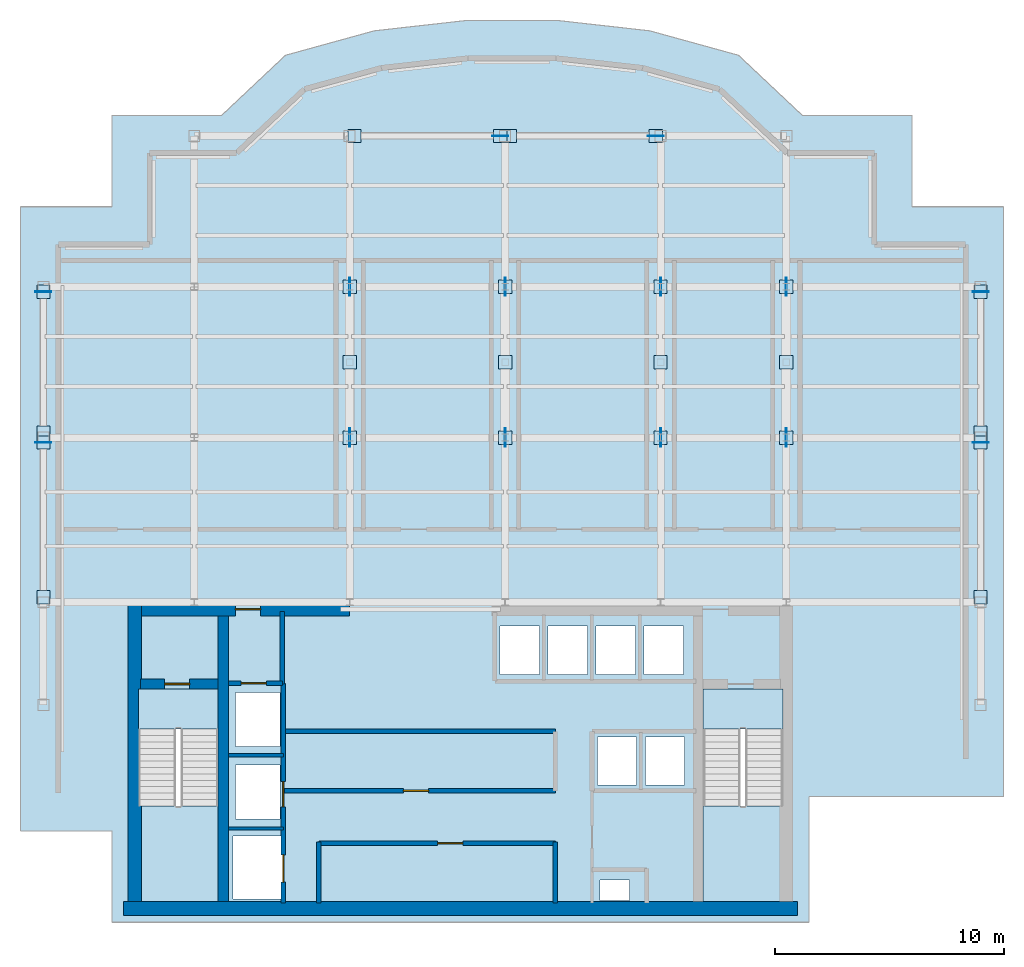
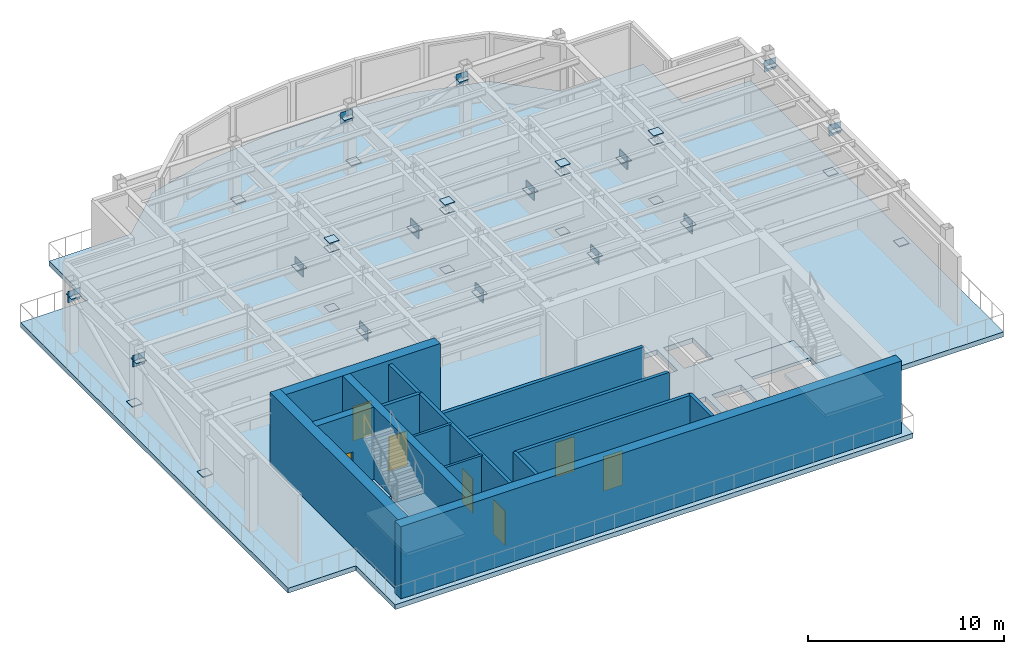
# One storey, part 4 of 7: 46 plates, 15 walls, 7 doors, 5 slabs, 7 openings, 2 elements without a shape of their own.
"""IFC4 building model written with IfcOpenShell, lengths in metres."""

from ifc_helpers import new_model, si_unit, derived_unit, direction, frame, frame_2d, origin, origin_2d, place, context, subcontext, project, spatial, polyline, rectangle, outline, extrude, source, transform, mapped, material, layer, layer_set, type_object, element, fill, aggregate, save


model = new_model("IFC4")

# Units and contexts
model_context = context("Model", 3, precision=1e-05, world=origin(), true_north=direction((0.0, 1.0)))
body_context = subcontext(model_context, "Body", "Model", "MODEL_VIEW")
ifc_project = project(units=[si_unit("LENGTHUNIT", "METRE"), si_unit("AREAUNIT", "SQUARE_METRE"), si_unit("VOLUMEUNIT", "CUBIC_METRE"), si_unit("PLANEANGLEUNIT", "RADIAN"), si_unit("MASSUNIT", "GRAM", prefix="KILO"), derived_unit("THERMALTRANSMITTANCEUNIT", [(si_unit("POWERUNIT", "WATT"), 1), (si_unit("LENGTHUNIT", "METRE"), -2), (si_unit("THERMODYNAMICTEMPERATUREUNIT", "KELVIN"), -1)])], contexts=[model_context])

# Site, building, storey
site_placement = place(None, origin())
site = spatial("IfcSite", under=ifc_project, at=site_placement, CompositionType="ELEMENT")
building_placement = place(site_placement, origin())
building = spatial("IfcBuilding", under=site, at=building_placement, Name="Skarnbrae Concourse Arena and Tower", CompositionType="ELEMENT")
storey_placement = place(building_placement, frame((0.0, 0.0, 236.050048828125)))
storey = spatial("IfcBuildingStorey", under=building, at=storey_placement, Name="L61", CompositionType="ELEMENT", Elevation=236.050048828125)

# Stair, slab
ifc_material_1 = material(Name="Concrete 40 MPa (C40/50)", Category="concrete")
stair_type = type_object("IfcStairType", Name="STAIR-DOGLEG-1650", PredefinedType="HALF_TURN_STAIR", material=ifc_material_1)
stair_1_placement = place(storey_placement, origin())
stair_1 = element("IfcStair", 1, at=stair_1_placement, inside=storey, type_object=stair_type, Name="L61 Protected Exit Stair ST-1", PredefinedType="HALF_TURN_STAIR")
ifc_layer_1 = layer(ifc_material_1, 0.199951171875)
ifc_layer_set_1 = layer_set([ifc_layer_1], Name="Concrete 40 MPa (C40/50)")
slab_type_1 = type_object("IfcSlabType", Name="SLAB-LANDING-200", PredefinedType="LANDING", material=ifc_layer_set_1)
slab_1_placement = place(storey_placement, frame((0.0, 0.0, 2.050048828125)))
slab_1 = element("IfcSlab", 2, at=slab_1_placement, type_object=slab_type_1, Name="ST-1 landing 1", PredefinedType="LANDING", context=body_context, shape_type="SweptSolid", body=[
    extrude(outline(polyline([(5.14990234375, 5.090087890625), (5.14990234375, 0.89990234375), (8.64990234375, 0.89990234375), (8.64990234375, 5.090087890625), (5.14990234375, 5.090087890625)])), origin(), (0.0, 0.0, 1.0), 0.199951171875),
])
aggregate(stair_1, [slab_1])

stair_2_placement = place(storey_placement, origin())
stair_2 = element("IfcStair", 3, at=stair_2_placement, inside=storey, type_object=stair_type, Name="L61 Protected Exit Stair ST-2", PredefinedType="HALF_TURN_STAIR")
slab_2_placement = place(storey_placement, frame((0.0, 0.0, 2.050048828125)))
slab_2 = element("IfcSlab", 4, at=slab_2_placement, type_object=slab_type_1, Name="ST-2 landing 1", PredefinedType="LANDING", context=body_context, shape_type="SweptSolid", body=[
    extrude(outline(polyline([(29.85009765625, 5.090087890625), (29.85009765625, 0.89990234375), (33.35009765625, 0.89990234375), (33.35009765625, 5.090087890625), (29.85009765625, 5.090087890625)])), origin(), (0.0, 0.0, 1.0), 0.199951171875),
])
aggregate(stair_2, [slab_2])

# Slabs
slab_3_placement = place(storey_placement, frame((0.0, 0.0, -0.199951171875)))
element("IfcSlab", 5, at=slab_3_placement, inside=storey, type_object=slab_type_1, Name="L61 Core stair ST1 floor landing", PredefinedType="LANDING", context=body_context, shape_type="SweptSolid", body=[
    extrude(outline(polyline([(5.14990234375, 10.199951171875), (5.14990234375, 8.449951171875), (8.64990234375, 8.449951171875), (8.64990234375, 10.199951171875), (5.14990234375, 10.199951171875)])), origin(), (0.0, 0.0, 1.0), 0.199951171875),
])
slab_4_placement = place(storey_placement, frame((0.0, 0.0, -0.199951171875)))
element("IfcSlab", 6, at=slab_4_placement, inside=storey, type_object=slab_type_1, Name="L61 Core stair ST2 floor landing", PredefinedType="LANDING", context=body_context, shape_type="SweptSolid", body=[
    extrude(outline(polyline([(29.85009765625, 10.199951171875), (29.85009765625, 8.449951171875), (33.35009765625, 8.449951171875), (33.35009765625, 10.199951171875), (29.85009765625, 10.199951171875)])), origin(), (0.0, 0.0, 1.0), 0.199951171875),
])
ifc_layer_2 = layer(ifc_material_1, 0.300048828125)
ifc_layer_set_2 = layer_set([ifc_layer_2], Name="Concrete 40 MPa (C40/50)")
slab_type_2 = type_object("IfcSlabType", Name="SLAB-PODIUM-300", PredefinedType="FLOOR", material=ifc_layer_set_2)
slab_5_placement = place(storey_placement, frame((0.0, 0.0, -0.300048828125)))
element("IfcSlab", 7, at=slab_5_placement, inside=storey, type_object=slab_type_2, Name="L61 Structural floor slab", PredefinedType="FLOOR", context=body_context, shape_type="SweptSolid", body=[
    extrude(outline(polyline([(4.0, 0.0), (34.5, 0.0), (34.5, 5.5), (43.0, 5.5), (43.0, 31.300048828125), (39.0, 31.300048828125), (39.0, 35.300048828125), (34.199951171875, 35.300048828125), (31.40966796875, 37.9267578125), (27.52587890625, 38.9970703125), (23.51708984375, 39.44677734375), (19.48291015625, 39.44677734375), (15.47412109375, 38.9970703125), (11.59033203125, 37.9267578125), (8.800048828125, 35.300048828125), (4.0, 35.300048828125), (4.0, 31.300048828125), (0.0, 31.300048828125), (0.0, 4.0), (4.0, 4.0), (4.0, 0.0)]), holes=[polyline([(9.294921875, 1.02001953125), (9.294921875, 3.780029296875), (11.455078125, 3.780029296875), (11.455078125, 1.02001953125), (9.294921875, 1.02001953125)]), polyline([(8.64990234375, 10.199951171875), (8.64990234375, 0.89990234375), (5.14990234375, 0.89990234375), (5.14990234375, 10.199951171875), (8.64990234375, 10.199951171875)]), polyline([(9.39501953125, 6.8798828125), (11.35498046875, 6.8798828125), (11.35498046875, 4.52001953125), (9.39501953125, 4.52001953125), (9.39501953125, 6.8798828125)]), polyline([(9.39501953125, 7.695068359375), (9.39501953125, 10.054931640625), (11.35498046875, 10.054931640625), (11.35498046875, 7.695068359375), (9.39501953125, 7.695068359375)]), polyline([(20.985107421875, 12.955078125), (22.695068359375, 12.955078125), (22.695068359375, 10.844970703125), (20.985107421875, 10.844970703125), (20.985107421875, 12.955078125)]), polyline([(23.0849609375, 12.955078125), (24.794921875, 12.955078125), (24.794921875, 10.844970703125), (23.0849609375, 10.844970703125), (23.0849609375, 12.955078125)]), polyline([(25.35009765625, 0.949951171875), (25.35009765625, 1.85009765625), (26.64990234375, 1.85009765625), (26.64990234375, 0.949951171875), (25.35009765625, 0.949951171875)]), polyline([(33.35009765625, 10.199951171875), (33.35009765625, 0.89990234375), (29.85009765625, 0.89990234375), (29.85009765625, 10.199951171875), (33.35009765625, 10.199951171875)]), polyline([(25.235107421875, 8.10498046875), (26.945068359375, 8.10498046875), (26.945068359375, 5.9951171875), (25.235107421875, 5.9951171875), (25.235107421875, 8.10498046875)]), polyline([(27.3349609375, 5.9951171875), (27.3349609375, 8.10498046875), (29.044921875, 8.10498046875), (29.044921875, 5.9951171875), (27.3349609375, 5.9951171875)]), polyline([(25.18505859375, 12.955078125), (26.89501953125, 12.955078125), (26.89501953125, 10.844970703125), (25.18505859375, 10.844970703125), (25.18505859375, 12.955078125)]), polyline([(27.284912109375, 12.955078125), (28.9951171875, 12.955078125), (28.9951171875, 10.844970703125), (27.284912109375, 10.844970703125), (27.284912109375, 12.955078125)])]), origin(), (0.0, 0.0, 1.0), 0.300048828125),
])

# Plates
ifc_material_2 = material(Name="Steel CSA G40.21 350W", Category="steel")
ifc_layer_3 = layer(ifc_material_2, 0.031982421875)
ifc_layer_set_3 = layer_set([ifc_layer_3], Name="Steel CSA G40.21 350W")
plate_type_1 = type_object("IfcPlateType", Name="PLT-CAP-HOLLOW", PredefinedType="USERDEFINED", material=ifc_layer_set_3)
shared_shape_1 = source(origin(), body_context, "Body", "SweptSolid", [
    extrude(rectangle(XDim=0.580078125, YDim=0.580078125, at=origin_2d()), origin(), (0.0, 0.0, 1.0), 0.031982421875),
])
for number, where, z_axis, x_axis, name in (
    (8, (14.39990234375, 21.199951171875, 0.5341796875), (0.0, 0.0, 1.0), (1.0, 0.0, 0.0), "L61 Outrigger cap plate O1.1A"),
    (9, (14.39990234375, 24.5, 3.68408203125), (0.0, 0.0, 1.0), (1.0, 0.0, 0.0), "L61 Outrigger cap plate O1.1B"),
    (10, (14.39990234375, 27.800048828125, 0.5341796875), (0.0, 0.0, 1.0), (1.0, 0.0, 0.0), "L61 Outrigger cap plate O1.2B"),
    (11, (21.199951171875, 21.199951171875, 0.5341796875), (0.0, 0.0, 1.0), (1.0, 0.0, 0.0), "L61 Outrigger cap plate O2.1A"),
    (12, (21.199951171875, 24.5, 3.68408203125), (0.0, 0.0, 1.0), (1.0, 0.0, 0.0), "L61 Outrigger cap plate O2.1B"),
    (13, (21.199951171875, 27.800048828125, 0.5341796875), (0.0, 0.0, 1.0), (1.0, 0.0, 0.0), "L61 Outrigger cap plate O2.2B"),
    (14, (28.0, 21.199951171875, 0.5341796875), (0.0, 0.0, 1.0), (1.0, 0.0, 0.0), "L61 Outrigger cap plate O3.1A"),
    (15, (28.0, 24.5, 3.68408203125), (0.0, 0.0, 1.0), (1.0, 0.0, 0.0), "L61 Outrigger cap plate O3.1B"),
    (16, (28.0, 27.800048828125, 0.5341796875), (0.0, 0.0, 1.0), (1.0, 0.0, 0.0), "L61 Outrigger cap plate O3.2B"),
    (17, (33.5, 21.199951171875, 0.5341796875), (0.0, 0.0, 1.0), (1.0, 0.0, 0.0), "L61 Outrigger cap plate O4.1A"),
    (18, (33.5, 24.5, 3.68408203125), (0.0, 0.0, 1.0), (1.0, 0.0, 0.0), "L61 Outrigger cap plate O4.1B"),
    (19, (33.5, 27.800048828125, 0.5341796875), (0.0, 0.0, 1.0), (1.0, 0.0, 0.0), "L61 Outrigger cap plate O4.2B"),
    (20, (1.0, 14.21533203125, 0.6279296875), (0.0, 0.0, 1.0), (1.0, 0.0, 0.0), "L61 Belt truss cap plate B01A"),
    (21, (1.0, 20.984619140625, 3.58984375), (0.0, 0.0, 1.0), (1.0, 0.0, 0.0), "L61 Belt truss cap plate B01B"),
    (22, (1.0, 21.412109375, 0.63525390625), (0.0, 0.0, 1.0), (1.0, 0.0, 0.0), "L61 Belt truss cap plate B02A"),
    (23, (1.0, 27.587890625, 3.58251953125), (0.0, 0.0, 1.0), (1.0, 0.0, 0.0), "L61 Belt truss cap plate B02B"),
    (24, (42.0, 14.21533203125, 0.6279296875), (0.0, 0.0, 1.0), (1.0, 0.0, 0.0), "L61 Belt truss cap plate B03A"),
    (25, (42.0, 20.984619140625, 3.58984375), (0.0, 0.0, 1.0), (1.0, 0.0, 0.0), "L61 Belt truss cap plate B03B"),
    (26, (42.0, 21.412109375, 0.63525390625), (0.0, 0.0, 1.0), (1.0, 0.0, 0.0), "L61 Belt truss cap plate B04A"),
    (27, (42.0, 27.587890625, 3.58251953125), (0.0, 0.0, 1.0), (1.0, 0.0, 0.0), "L61 Belt truss cap plate B04B"),
    (28, (14.61328125, 34.39990234375, 0.6328125), (0.0, 0.0, 1.0), (1.0, 0.0, 0.0), "L61 Belt truss cap plate B05A"),
    (29, (20.98681640625, 34.39990234375, 3.5849609375), (0.0, 0.0, 1.0), (1.0, 0.0, 0.0), "L61 Belt truss cap plate B05B"),
    (30, (21.4130859375, 34.39990234375, 0.6328125), (0.0, 0.0, 1.0), (1.0, 0.0, 0.0), "L61 Belt truss cap plate B06A"),
    (31, (27.786865234375, 34.39990234375, 3.5849609375), (0.0, 0.0, 1.0), (1.0, 0.0, 0.0), "L61 Belt truss cap plate B06B"),
    (32, (14.39990234375, 24.5, -0.03125), (0.0, 0.0, 1.0), (1.0, 0.0, 0.0), "L61 Outrigger post bottom cap plate 09"),
    (33, (14.39990234375, 24.5, 4.2490234375), (0.0, 0.0, 1.0), (1.0, 0.0, 0.0), "L61 Outrigger post top cap plate 09"),
    (34, (21.199951171875, 24.5, -0.03125), (0.0, 0.0, 1.0), (1.0, 0.0, 0.0), "L61 Outrigger post bottom cap plate 10"),
    (35, (21.199951171875, 24.5, 4.2490234375), (0.0, 0.0, 1.0), (1.0, 0.0, 0.0), "L61 Outrigger post top cap plate 10"),
    (36, (28.0, 24.5, -0.03125), (0.0, 0.0, 1.0), (1.0, 0.0, 0.0), "L61 Outrigger post bottom cap plate 11"),
    (37, (28.0, 24.5, 4.2490234375), (0.0, 0.0, 1.0), (1.0, 0.0, 0.0), "L61 Outrigger post top cap plate 11"),
    (38, (33.5, 24.5, -0.03125), (0.0, 0.0, 1.0), (1.0, 0.0, 0.0), "L61 Outrigger post bottom cap plate 12"),
    (39, (33.5, 24.5, 4.2490234375), (0.0, 0.0, 1.0), (1.0, 0.0, 0.0), "L61 Outrigger post top cap plate 12"),
):
    element("IfcPlate", number, at=place(storey_placement, frame(where, z_axis=z_axis, x_axis=x_axis)), inside=storey, type_object=plate_type_1, Name=name, ObjectType="CAP PLATE", PredefinedType="USERDEFINED", context=body_context, shape_type="MappedRepresentation", body=[
        mapped(shared_shape_1, transform((0.0, 0.0, 0.0))),
    ])
ifc_layer_4 = layer(ifc_material_2, 0.0400390625)
ifc_layer_set_4 = layer_set([ifc_layer_4], Name="Steel CSA G40.21 350W")
plate_type_2 = type_object("IfcPlateType", Name="PLT-NODE-OUTRIG", PredefinedType="USERDEFINED", material=ifc_layer_set_4)
shared_shape_2 = source(origin(), body_context, "Body", "SweptSolid", [
    extrude(rectangle(XDim=0.800048828125, YDim=0.0400390625, at=origin_2d()), origin(), (0.0, 0.0, 1.0), 0.800048828125),
])
for number, where, z_axis, x_axis, name in (
    (40, (14.39990234375, 21.199951171875, 0.14990234375), (0.0, 0.0, 1.0), (0.0, 1.0, 0.0), "L61 Outrigger node gusset plate ND-OR-01 #1S"),
    (41, (14.39990234375, 27.800048828125, 0.14990234375), (0.0, 0.0, 1.0), (0.0, 1.0, 0.0), "L61 Outrigger node gusset plate ND-OR-01 #1N"),
    (42, (21.199951171875, 21.199951171875, 0.14990234375), (0.0, 0.0, 1.0), (0.0, 1.0, 0.0), "L61 Outrigger node gusset plate ND-OR-01 #2S"),
    (43, (21.199951171875, 27.800048828125, 0.14990234375), (0.0, 0.0, 1.0), (0.0, 1.0, 0.0), "L61 Outrigger node gusset plate ND-OR-01 #2N"),
    (44, (28.0, 21.199951171875, 0.14990234375), (0.0, 0.0, 1.0), (0.0, 1.0, 0.0), "L61 Outrigger node gusset plate ND-OR-01 #3S"),
    (45, (28.0, 27.800048828125, 0.14990234375), (0.0, 0.0, 1.0), (0.0, 1.0, 0.0), "L61 Outrigger node gusset plate ND-OR-01 #3N"),
    (46, (33.5, 21.199951171875, 0.14990234375), (0.0, 0.0, 1.0), (0.0, 1.0, 0.0), "L61 Outrigger node gusset plate ND-OR-01 #4S"),
    (47, (33.5, 27.800048828125, 0.14990234375), (0.0, 0.0, 1.0), (0.0, 1.0, 0.0), "L61 Outrigger node gusset plate ND-OR-01 #4N"),
):
    element("IfcPlate", number, at=place(storey_placement, frame(where, z_axis=z_axis, x_axis=x_axis)), inside=storey, type_object=plate_type_2, Name=name, ObjectType="GUSSET PLATE", PredefinedType="USERDEFINED", context=body_context, shape_type="MappedRepresentation", body=[
        mapped(shared_shape_2, transform((0.0, 0.0, 0.0))),
    ])
ifc_layer_5 = layer(ifc_material_2, 0.034912109375)
ifc_layer_set_5 = layer_set([ifc_layer_5], Name="Steel CSA G40.21 350W")
plate_type_3 = type_object("IfcPlateType", Name="PLT-NODE-BELT", PredefinedType="USERDEFINED", material=ifc_layer_set_5)
shared_shape_3 = source(origin(), body_context, "Body", "SweptSolid", [
    extrude(rectangle(XDim=0.699951171875, YDim=0.034912109375, at=origin_2d()), origin(), (0.0, 0.0, 1.0), 0.699951171875),
])
for number, where, z_axis, x_axis, name in (
    (48, (1.0, 20.984619140625, 3.255859375), (0.0, 0.0, 1.0), (1.0, 0.0, 0.0), "L61 Belt truss node gusset plate ND-BT-01 #01"),
    (49, (1.0, 27.587890625, 3.24853515625), (0.0, 0.0, 1.0), (1.0, 0.0, 0.0), "L61 Belt truss node gusset plate ND-BT-01 #02"),
    (50, (42.0, 20.984619140625, 3.255859375), (0.0, 0.0, 1.0), (1.0, 0.0, 0.0), "L61 Belt truss node gusset plate ND-BT-01 #03"),
    (51, (42.0, 27.587890625, 3.24853515625), (0.0, 0.0, 1.0), (1.0, 0.0, 0.0), "L61 Belt truss node gusset plate ND-BT-01 #04"),
    (52, (20.98681640625, 34.39990234375, 3.2509765625), (0.0, 0.0, 1.0), (1.0, 0.0, 0.0), "L61 Belt truss node gusset plate ND-BT-01 #05"),
    (53, (27.786865234375, 34.39990234375, 3.2509765625), (0.0, 0.0, 1.0), (1.0, 0.0, 0.0), "L61 Belt truss node gusset plate ND-BT-01 #06"),
):
    element("IfcPlate", number, at=place(storey_placement, frame(where, z_axis=z_axis, x_axis=x_axis)), inside=storey, type_object=plate_type_3, Name=name, ObjectType="GUSSET PLATE", PredefinedType="USERDEFINED", context=body_context, shape_type="MappedRepresentation", body=[
        mapped(shared_shape_3, transform((0.0, 0.0, 0.0))),
    ])

# Wall, opening, door
ifc_material_3 = material(Name="Concrete 50 MPa (C50/60)", Category="concrete")
ifc_layer_6 = layer(ifc_material_3, 0.449951171875)
ifc_layer_set_6 = layer_set([ifc_layer_6], Name="Concrete 50 MPa (C50/60)")
wall_type_1 = type_object("IfcWallType", Name="WALL-CORE-450-C50", PredefinedType="SHEAR", material=ifc_layer_set_6)
shared_shape_4 = source(origin(), body_context, "Body", "SweptSolid", [
    extrude(rectangle(XDim=3.389892578125, YDim=0.449951171875, at=frame_2d((1.69482421875, 0.0))), origin(), (0.0, 0.0, 1.0), 4.5),
])
wall_1_placement = place(storey_placement, frame((5.25, 10.419921875, 0.0), z_axis=(0.0, 0.0, 1.0), x_axis=(1.0, 0.0, 0.0)))
wall_1 = element("IfcWall", 54, at=wall_1_placement, inside=storey, type_object=wall_type_1, Name="L61 Rear core shear wall CW-ST1-N", PredefinedType="SHEAR", context=body_context, shape_type="MappedRepresentation", body=[
    mapped(shared_shape_4, transform((0.0, 0.0, 0.0))),
])
opening_1_placement = place(wall_1_placement, frame((1.050048828125, 0.0, 0.0)))
opening_1 = element("IfcOpeningElement", 55, at=opening_1_placement, cuts=wall_1, Name="Opening DT-03", PredefinedType="OPENING", context=body_context, shape_type="SweptSolid", body=[
    extrude(rectangle(XDim=1.10009765625, YDim=2.14990234375, at=frame_2d((0.550048828125, 1.074951171875))), frame((0.0, 0.23486328125, 0.0), z_axis=(0.0, -1.0, 0.0), x_axis=(1.0, 0.0, 0.0)), (0.0, 0.0, 1.0), 0.469970703125),
])
door_type_1 = type_object("IfcDoorType", Name="DOOR-FIRE-1100-90M", OperationType="NOTDEFINED", PredefinedType="DOOR", material=ifc_material_2)
shared_shape_5 = source(origin(), body_context, "Body", "SweptSolid", [
    extrude(rectangle(XDim=1.10009765625, YDim=2.14990234375, at=frame_2d((0.550048828125, 1.074951171875))), frame((0.0, 0.02490234375, 0.0), z_axis=(0.0, -1.0, 0.0), x_axis=(1.0, 0.0, 0.0)), (0.0, 0.0, 1.0), 0.050048828125),
])
door_1_placement = place(opening_1_placement, frame((1.10009765625, 0.0, 0.0), z_axis=(0.0, 0.0, 1.0), x_axis=(-1.0, 0.0, 0.0)))
door_1 = element("IfcDoor", 56, at=door_1_placement, inside=storey, type_object=door_type_1, Name="D-1848 Stair ST-1 Door", OperationType="SINGLE_SWING_LEFT", OverallHeight=2.14990234375, OverallWidth=1.10009765625, PredefinedType="DOOR", context=body_context, shape_type="MappedRepresentation", body=[
    mapped(shared_shape_5, transform((0.0, 0.0, 0.0))),
])
fill(opening_1, door_1)

# Walls
ifc_layer_7 = layer(ifc_material_3, 0.60009765625)
ifc_layer_set_7 = layer_set([ifc_layer_7], Name="Concrete 50 MPa (C50/60)")
wall_type_2 = type_object("IfcWallType", Name="WALL-CORE-600-C50", PredefinedType="SHEAR", material=ifc_layer_set_7)
shared_shape_6 = source(origin(), body_context, "Body", "SweptSolid", [
    extrude(rectangle(XDim=29.5, YDim=0.60009765625, at=frame_2d((14.75, 0.0))), origin(), (0.0, 0.0, 1.0), 4.5),
])
wall_2_placement = place(storey_placement, frame((4.5, 0.60009765625, 0.0), z_axis=(0.0, 0.0, 1.0), x_axis=(1.0, 0.0, 0.0)))
element("IfcWall", 57, at=wall_2_placement, inside=storey, type_object=wall_type_2, Name="L61 Rear core shear wall CW-S", PredefinedType="SHEAR", context=body_context, shape_type="MappedRepresentation", body=[
    mapped(shared_shape_6, transform((0.0, 0.0, 0.0))),
])
shared_shape_7 = source(origin(), body_context, "Body", "SweptSolid", [
    extrude(rectangle(XDim=13.10009765625, YDim=0.60009765625, at=frame_2d((6.550048828125, 0.0))), origin(), (0.0, 0.0, 1.0), 4.5),
])
wall_3_placement = place(storey_placement, frame((5.0, 0.89990234375, 0.0), z_axis=(0.0, 0.0, 1.0), x_axis=(0.0, 1.0, 0.0)))
element("IfcWall", 58, at=wall_3_placement, inside=storey, type_object=wall_type_2, Name="L61 Rear core shear wall CW-W", PredefinedType="SHEAR", context=body_context, shape_type="MappedRepresentation", body=[
    mapped(shared_shape_7, transform((0.0, 0.0, 0.0))),
])

# Wall, opening, door
shared_shape_8 = source(origin(), body_context, "Body", "SweptSolid", [
    extrude(rectangle(XDim=9.099853515625, YDim=0.60009765625, at=frame_2d((4.5498046875, 0.0))), origin(), (0.0, 0.0, 1.0), 4.5),
])
wall_4_placement = place(storey_placement, frame((5.300048828125, 13.699951171875, 0.0), z_axis=(0.0, 0.0, 1.0), x_axis=(1.0, 0.0, 0.0)))
wall_4 = element("IfcWall", 59, at=wall_4_placement, inside=storey, type_object=wall_type_2, Name="L61 Rear core shear wall CW-NW", PredefinedType="SHEAR", context=body_context, shape_type="MappedRepresentation", body=[
    mapped(shared_shape_8, transform((0.0, 0.0, 0.0))),
])
opening_2_placement = place(wall_4_placement, frame((4.10009765625, 0.0, 0.0)))
opening_2 = element("IfcOpeningElement", 60, at=opening_2_placement, cuts=wall_4, Name="Opening DT-03", PredefinedType="OPENING", context=body_context, shape_type="SweptSolid", body=[
    extrude(rectangle(XDim=1.10009765625, YDim=2.14990234375, at=frame_2d((0.550048828125, 1.074951171875))), frame((0.0, 0.31005859375, 0.0), z_axis=(0.0, -1.0, 0.0), x_axis=(1.0, 0.0, 0.0)), (0.0, 0.0, 1.0), 0.6201171875),
])
door_2_placement = place(opening_2_placement, origin())
door_2 = element("IfcDoor", 61, at=door_2_placement, inside=storey, type_object=door_type_1, Name="D-1850 Firefighting Lobby Exit Door", OperationType="SINGLE_SWING_RIGHT", OverallHeight=2.14990234375, OverallWidth=1.10009765625, PredefinedType="DOOR", context=body_context, shape_type="MappedRepresentation", body=[
    mapped(shared_shape_5, transform((0.0, 0.0, 0.0))),
])
fill(opening_2, door_2)

# Walls
shared_shape_9 = source(origin(), body_context, "Body", "SweptSolid", [
    extrude(rectangle(XDim=12.5, YDim=0.449951171875, at=frame_2d((6.25, 0.0))), origin(), (0.0, 0.0, 1.0), 4.5),
])
wall_5_placement = place(storey_placement, frame((8.864990234375, 0.89990234375, 0.0), z_axis=(0.0, 0.0, 1.0), x_axis=(0.0, 1.0, 0.0)))
element("IfcWall", 62, at=wall_5_placement, inside=storey, type_object=wall_type_1, Name="L61 Rear core shear wall CW-WEB-W", PredefinedType="SHEAR", context=body_context, shape_type="MappedRepresentation", body=[
    mapped(shared_shape_9, transform((0.0, 0.0, 0.0))),
])
ifc_material_4 = material(Name="Gypsum board on cold-formed steel studs", Category="steel")
ifc_layer_8 = layer(ifc_material_4, 0.199951171875)
ifc_layer_set_8 = layer_set([ifc_layer_8], Name="Gypsum board on cold-formed steel studs")
wall_type_3 = type_object("IfcWallType", Name="WALL-PART-200-2HR", PredefinedType="PARTITIONING", material=ifc_layer_set_8)
shared_shape_10 = source(origin(), body_context, "Body", "SweptSolid", [
    extrude(rectangle(XDim=3.18017578125, YDim=0.199951171875, at=frame_2d((1.590087890625, 0.0))), origin(), (0.0, 0.0, 1.0), 4.25),
])
wall_6_placement = place(storey_placement, frame((11.449951171875, 10.419921875, 0.0), z_axis=(0.0, 0.0, 1.0), x_axis=(0.0, 1.0, 0.0)))
element("IfcWall", 63, at=wall_6_placement, inside=storey, type_object=wall_type_3, Name="L61 Interior partition wall W-L61-FFL-E", PredefinedType="PARTITIONING", context=body_context, shape_type="MappedRepresentation", body=[
    mapped(shared_shape_10, transform((0.0, 0.0, 0.0))),
])

# Wall, opening, door
shared_shape_11 = source(origin(), body_context, "Body", "SweptSolid", [
    extrude(rectangle(XDim=2.349853515625, YDim=0.199951171875, at=frame_2d((1.1748046875, 0.0))), origin(), (0.0, 0.0, 1.0), 4.25),
])
wall_7_placement = place(storey_placement, frame((9.10009765625, 10.449951171875, 0.0), z_axis=(0.0, 0.0, 1.0), x_axis=(1.0, 0.0, 0.0)))
wall_7 = element("IfcWall", 64, at=wall_7_placement, inside=storey, type_object=wall_type_3, Name="L61 Interior partition wall W-L61-FL1-N", PredefinedType="PARTITIONING", context=body_context, shape_type="MappedRepresentation", body=[
    mapped(shared_shape_11, transform((0.0, 0.0, 0.0))),
])
opening_3_placement = place(wall_7_placement, frame((0.550048828125, 0.0, 0.0)))
opening_3 = element("IfcOpeningElement", 65, at=opening_3_placement, cuts=wall_7, Name="Opening LD-01", PredefinedType="OPENING", context=body_context, shape_type="SweptSolid", body=[
    extrude(rectangle(XDim=1.10009765625, YDim=2.14990234375, at=frame_2d((0.550048828125, 1.074951171875))), frame((0.0, 0.10986328125, 0.0), z_axis=(0.0, -1.0, 0.0), x_axis=(1.0, 0.0, 0.0)), (0.0, 0.0, 1.0), 0.219970703125),
])
door_type_2 = type_object("IfcDoorType", Name="DOOR-LIFT-SLIDE-1100", OperationType="SLIDING_TO_LEFT", PredefinedType="DOOR", material=ifc_material_2)
door_3_placement = place(opening_3_placement, origin())
door_3 = element("IfcDoor", 66, at=door_3_placement, inside=storey, type_object=door_type_2, Name="D-1852 Firefighting Lift Landing Door FL-01", OperationType="SLIDING_TO_LEFT", OverallHeight=2.14990234375, OverallWidth=1.10009765625, PredefinedType="DOOR", context=body_context, shape_type="MappedRepresentation", body=[
    mapped(shared_shape_5, transform((0.0, 0.0, 0.0))),
])
fill(opening_3, door_3)

# Wall, openings, doors
shared_shape_12 = source(origin(), body_context, "Body", "SweptSolid", [
    extrude(rectangle(XDim=9.599853515625, YDim=0.199951171875, at=frame_2d((4.7998046875, 0.0))), origin(), (0.0, 0.0, 1.0), 4.25),
])
wall_8_placement = place(storey_placement, frame((11.5, 0.85009765625, 0.0), z_axis=(0.0, 0.0, 1.0), x_axis=(0.0, 1.0, 0.0)))
wall_8 = element("IfcWall", 67, at=wall_8_placement, inside=storey, type_object=wall_type_3, Name="L61 Interior partition wall W-L61-FL-E", PredefinedType="PARTITIONING", context=body_context, shape_type="MappedRepresentation", body=[
    mapped(shared_shape_12, transform((0.0, 0.0, 0.0))),
])
opening_4_placement = place(wall_8_placement, frame((4.199951171875, 0.0, 0.0)))
opening_4 = element("IfcOpeningElement", 68, at=opening_4_placement, cuts=wall_8, Name="Opening LD-01", PredefinedType="OPENING", context=body_context, shape_type="SweptSolid", body=[
    extrude(rectangle(XDim=1.10009765625, YDim=2.14990234375, at=frame_2d((0.550048828125, 1.074951171875))), frame((0.0, 0.10986328125, 0.0), z_axis=(0.0, -1.0, 0.0), x_axis=(1.0, 0.0, 0.0)), (0.0, 0.0, 1.0), 0.219970703125),
])
opening_5_placement = place(wall_8_placement, frame((0.89990234375, 0.0, 0.0)))
opening_5 = element("IfcOpeningElement", 69, at=opening_5_placement, cuts=wall_8, Name="Opening LD-02", PredefinedType="OPENING", context=body_context, shape_type="SweptSolid", body=[
    extrude(rectangle(XDim=1.199951171875, YDim=2.14990234375, at=frame_2d((0.60009765625, 1.074951171875))), frame((0.0, 0.10986328125, 0.0), z_axis=(0.0, -1.0, 0.0), x_axis=(1.0, 0.0, 0.0)), (0.0, 0.0, 1.0), 0.219970703125),
])
door_4_placement = place(opening_4_placement, frame((1.10009765625, 0.0, 0.0), z_axis=(0.0, 0.0, 1.0), x_axis=(-1.0, 0.0, 0.0)))
door_4 = element("IfcDoor", 70, at=door_4_placement, inside=storey, type_object=door_type_2, Name="D-1853 Firefighting Lift Landing Door FL-02", OperationType="SLIDING_TO_LEFT", OverallHeight=2.14990234375, OverallWidth=1.10009765625, PredefinedType="DOOR", context=body_context, shape_type="MappedRepresentation", body=[
    mapped(shared_shape_5, transform((0.0, 0.0, 0.0))),
])
fill(opening_4, door_4)
door_type_3 = type_object("IfcDoorType", Name="DOOR-LIFT-SLIDE-1200", OperationType="SLIDING_TO_LEFT", PredefinedType="DOOR", material=ifc_material_2)
shared_shape_13 = source(origin(), body_context, "Body", "SweptSolid", [
    extrude(rectangle(XDim=1.199951171875, YDim=2.14990234375, at=frame_2d((0.60009765625, 1.074951171875))), frame((0.0, 0.02490234375, 0.0), z_axis=(0.0, -1.0, 0.0), x_axis=(1.0, 0.0, 0.0)), (0.0, 0.0, 1.0), 0.050048828125),
])
door_5_placement = place(opening_5_placement, frame((1.199951171875, 0.0, 0.0), z_axis=(0.0, 0.0, 1.0), x_axis=(-1.0, 0.0, 0.0)))
door_5 = element("IfcDoor", 71, at=door_5_placement, inside=storey, type_object=door_type_3, Name="D-1854 Service Lift Landing Door SV-01", OperationType="SLIDING_TO_LEFT", OverallHeight=2.14990234375, OverallWidth=1.199951171875, PredefinedType="DOOR", context=body_context, shape_type="MappedRepresentation", body=[
    mapped(shared_shape_13, transform((0.0, 0.0, 0.0))),
])
fill(opening_5, door_5)

# Walls
ifc_layer_9 = layer(ifc_material_4, 0.14990234375)
ifc_layer_set_9 = layer_set([ifc_layer_9], Name="Gypsum board on cold-formed steel studs")
wall_type_4 = type_object("IfcWallType", Name="WALL-PART-150", PredefinedType="PARTITIONING", material=ifc_layer_set_9)
shared_shape_14 = source(origin(), body_context, "Body", "SweptSolid", [
    extrude(rectangle(XDim=2.39990234375, YDim=0.14990234375, at=frame_2d((1.199951171875, 0.0))), origin(), (0.0, 0.0, 1.0), 4.25),
])
for number, where, z_axis, x_axis, name in (
    (72, (9.10009765625, 4.10009765625, 0.0), (0.0, 0.0, 1.0), (1.0, 0.0, 0.0), "L61 Interior partition wall W-L61-FL-D1"),
    (73, (9.10009765625, 7.300048828125, 0.0), (0.0, 0.0, 1.0), (1.0, 0.0, 0.0), "L61 Interior partition wall W-L61-FL-D2"),
):
    element("IfcWall", number, at=place(storey_placement, frame(where, z_axis=z_axis, x_axis=x_axis)), inside=storey, type_object=wall_type_4, Name=name, PredefinedType="PARTITIONING", context=body_context, shape_type="MappedRepresentation", body=[
        mapped(shared_shape_14, transform((0.0, 0.0, 0.0))),
    ])
shared_shape_15 = source(origin(), body_context, "Body", "SweptSolid", [
    extrude(rectangle(XDim=2.64990234375, YDim=0.199951171875, at=frame_2d((1.324951171875, 0.0))), origin(), (0.0, 0.0, 1.0), 4.25),
])
for number, where, z_axis, x_axis, name in (
    (74, (13.050048828125, 0.85009765625, 0.0), (0.0, 0.0, 1.0), (0.0, 1.0, 0.0), "L61 Interior partition wall W-L61-B1B-W"),
    (75, (23.39990234375, 0.85009765625, 0.0), (0.0, 0.0, 1.0), (0.0, 1.0, 0.0), "L61 Interior partition wall W-L61-B1B-E"),
):
    element("IfcWall", number, at=place(storey_placement, frame(where, z_axis=z_axis, x_axis=x_axis)), inside=storey, type_object=wall_type_3, Name=name, PredefinedType="PARTITIONING", context=body_context, shape_type="MappedRepresentation", body=[
        mapped(shared_shape_15, transform((0.0, 0.0, 0.0))),
    ])

# Wall, opening, door
shared_shape_16 = source(origin(), body_context, "Body", "SweptSolid", [
    extrude(rectangle(XDim=10.349853515625, YDim=0.199951171875, at=frame_2d((5.1748046875, 0.0))), origin(), (0.0, 0.0, 1.0), 4.25),
])
wall_9_placement = place(storey_placement, frame((13.050048828125, 3.449951171875, 0.0), z_axis=(0.0, 0.0, 1.0), x_axis=(1.0, 0.0, 0.0)))
wall_9 = element("IfcWall", 76, at=wall_9_placement, inside=storey, type_object=wall_type_3, Name="L61 Interior partition wall W-L61-B1B-N", PredefinedType="PARTITIONING", context=body_context, shape_type="MappedRepresentation", body=[
    mapped(shared_shape_16, transform((0.0, 0.0, 0.0))),
])
opening_6_placement = place(wall_9_placement, frame((5.199951171875, 0.0, 0.0)))
opening_6 = element("IfcOpeningElement", 77, at=opening_6_placement, cuts=wall_9, Name="Opening DT-03", PredefinedType="OPENING", context=body_context, shape_type="SweptSolid", body=[
    extrude(rectangle(XDim=1.10009765625, YDim=2.14990234375, at=frame_2d((0.550048828125, 1.074951171875))), frame((0.0, 0.10986328125, 0.0), z_axis=(0.0, -1.0, 0.0), x_axis=(1.0, 0.0, 0.0)), (0.0, 0.0, 1.0), 0.219970703125),
])
door_6_placement = place(opening_6_placement, origin())
door_6 = element("IfcDoor", 78, at=door_6_placement, inside=storey, type_object=door_type_1, Name="D-1855 Core Plant Door", OperationType="SINGLE_SWING_LEFT", OverallHeight=2.14990234375, OverallWidth=1.10009765625, PredefinedType="DOOR", context=body_context, shape_type="MappedRepresentation", body=[
    mapped(shared_shape_5, transform((0.0, 0.0, 0.0))),
])
fill(opening_6, door_6)

shared_shape_17 = source(origin(), body_context, "Body", "SweptSolid", [
    extrude(rectangle(XDim=11.849853515625, YDim=0.199951171875, at=frame_2d((5.9248046875, 0.0))), origin(), (0.0, 0.0, 1.0), 4.25),
])
wall_10_placement = place(storey_placement, frame((11.550048828125, 5.75, 0.0), z_axis=(0.0, 0.0, 1.0), x_axis=(1.0, 0.0, 0.0)))
wall_10 = element("IfcWall", 79, at=wall_10_placement, inside=storey, type_object=wall_type_3, Name="L61 Interior partition wall W-L61-B2B-S", PredefinedType="PARTITIONING", context=body_context, shape_type="MappedRepresentation", body=[
    mapped(shared_shape_17, transform((0.0, 0.0, 0.0))),
])
opening_7_placement = place(wall_10_placement, frame((5.199951171875, 0.0, 0.0)))
opening_7 = element("IfcOpeningElement", 80, at=opening_7_placement, cuts=wall_10, Name="Opening DT-03", PredefinedType="OPENING", context=body_context, shape_type="SweptSolid", body=[
    extrude(rectangle(XDim=1.10009765625, YDim=2.14990234375, at=frame_2d((0.550048828125, 1.074951171875))), frame((0.0, 0.10986328125, 0.0), z_axis=(0.0, -1.0, 0.0), x_axis=(1.0, 0.0, 0.0)), (0.0, 0.0, 1.0), 0.219970703125),
])
door_7_placement = place(opening_7_placement, frame((1.10009765625, 0.0, 0.0), z_axis=(0.0, 0.0, 1.0), x_axis=(-1.0, 0.0, 0.0)))
door_7 = element("IfcDoor", 81, at=door_7_placement, inside=storey, type_object=door_type_1, Name="D-1856 Core Machine Room Door", OperationType="SINGLE_SWING_RIGHT", OverallHeight=2.14990234375, OverallWidth=1.10009765625, PredefinedType="DOOR", context=body_context, shape_type="MappedRepresentation", body=[
    mapped(shared_shape_5, transform((0.0, 0.0, 0.0))),
])
fill(opening_7, door_7)

# Wall
wall_11_placement = place(storey_placement, frame((11.550048828125, 8.35009765625, 0.0), z_axis=(0.0, 0.0, 1.0), x_axis=(1.0, 0.0, 0.0)))
element("IfcWall", 82, at=wall_11_placement, inside=storey, type_object=wall_type_3, Name="L61 Interior partition wall W-L61-B2B-N", PredefinedType="PARTITIONING", context=body_context, shape_type="MappedRepresentation", body=[
    mapped(shared_shape_17, transform((0.0, 0.0, 0.0))),
])

save(model, "model.ifc")
